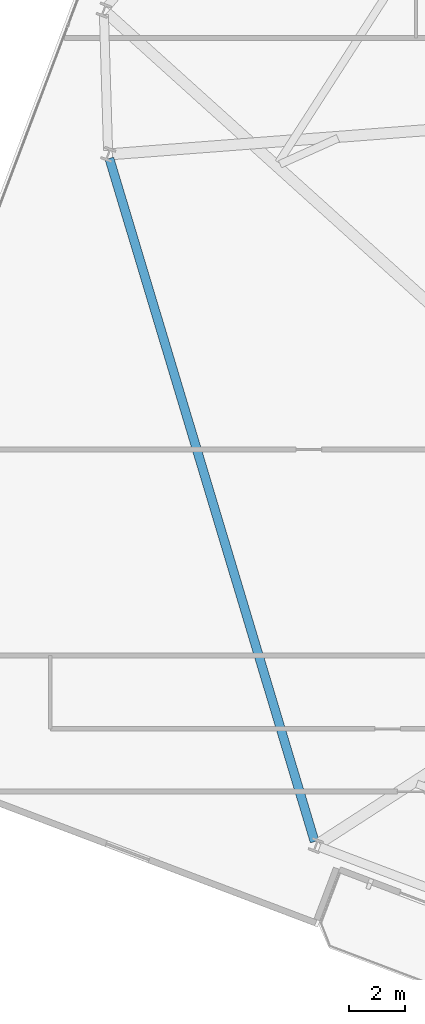
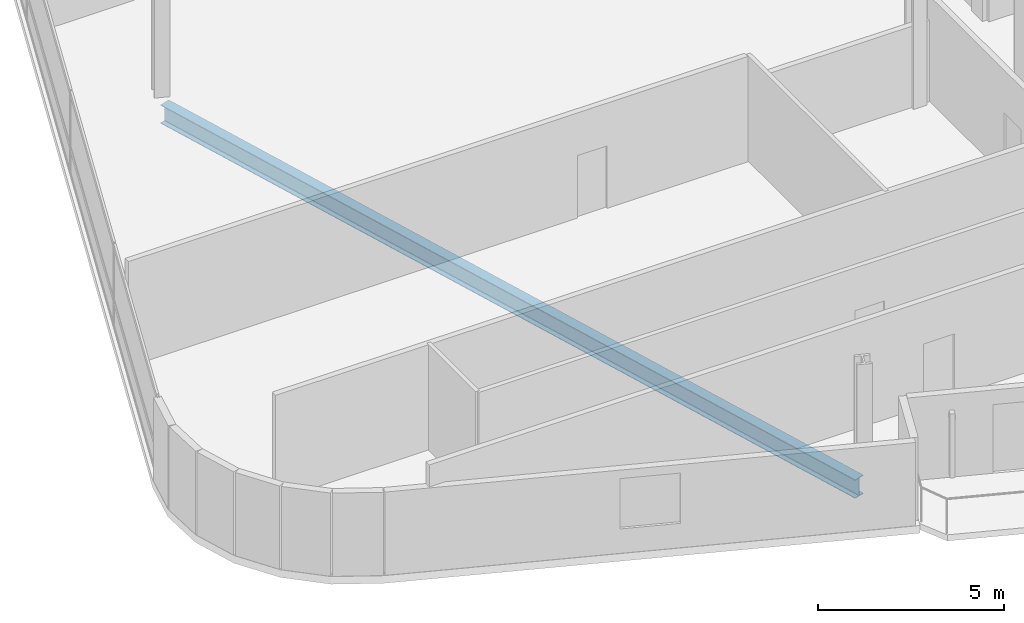
# One storey, part 5 of 24: 1 beam.
"""IFC4 building model written with IfcOpenShell, lengths in metres."""

from ifc_helpers import new_model, si_unit, direction, frame, origin, origin_2d, place, context, subcontext, project, spatial, i_section, extrude, material, material_profile, profile_set, type_object, element, save


model = new_model("IFC4")

# Units and contexts
model_context = context("Model", 3, precision=1e-05, world=origin(), true_north=direction((0.0, 1.0)))
body_context = subcontext(model_context, "Body", "Model", "MODEL_VIEW")
ifc_project = project(units=[si_unit("LENGTHUNIT", "METRE"), si_unit("AREAUNIT", "SQUARE_METRE"), si_unit("VOLUMEUNIT", "CUBIC_METRE"), si_unit("PLANEANGLEUNIT", "RADIAN"), si_unit("MASSUNIT", "GRAM", prefix="KILO")], contexts=[model_context])

# Site, building, storey
site_placement = place(None, origin())
site = spatial("IfcSite", under=ifc_project, at=site_placement, CompositionType="ELEMENT")
building_placement = place(site_placement, origin())
building = spatial("IfcBuilding", under=site, at=building_placement, Name="Varnelok Gate Tower", CompositionType="ELEMENT")
storey_placement = place(building_placement, frame((0.0, 0.0, 87.300048828125)))
storey = spatial("IfcBuildingStorey", under=building, at=storey_placement, Name="L21", CompositionType="ELEMENT", Elevation=87.300048828125)

# Beam
ifc_material = material(Name="Structural Steel ASTM A992 Grade 50", Category="steel")
ifc_material_profile = material_profile(ifc_material, i_section(OverallWidth=0.323974609375, OverallDepth=0.611083984375, WebThickness=0.0126953125, FlangeThickness=0.01904296875, FilletRadius=0.01806640625, at=origin_2d()), Name="W24X104")
ifc_profile_set = profile_set([ifc_material_profile], Name="Structural Steel ASTM A992 Grade 50")
beam_type = type_object("IfcBeamType", Name="BM-SPN-W24X104", PredefinedType="SPANDREL", material=ifc_profile_set)
beam_placement = place(storey_placement, frame((7.124267578125, 37.102294921875, -0.5556640625), z_axis=(0.287734186054, -0.957710310154, 0.0), x_axis=(0.957710310154, 0.287734186054, 0.0)))
element("IfcBeam", 1, at=beam_placement, inside=storey, type_object=beam_type, Name="L21 Perimeter Spandrel Beam 16", PredefinedType="SPANDREL", context=body_context, shape_type="SweptSolid", body=[
    extrude(i_section(OverallWidth=0.323974609375, OverallDepth=0.611083984375, WebThickness=0.0126953125, FlangeThickness=0.01904296875, FilletRadius=0.01806640625, at=origin_2d()), origin(), (0.0, 0.0, 1.0), 25.626220703125),
])

save(model, "model.ifc")
